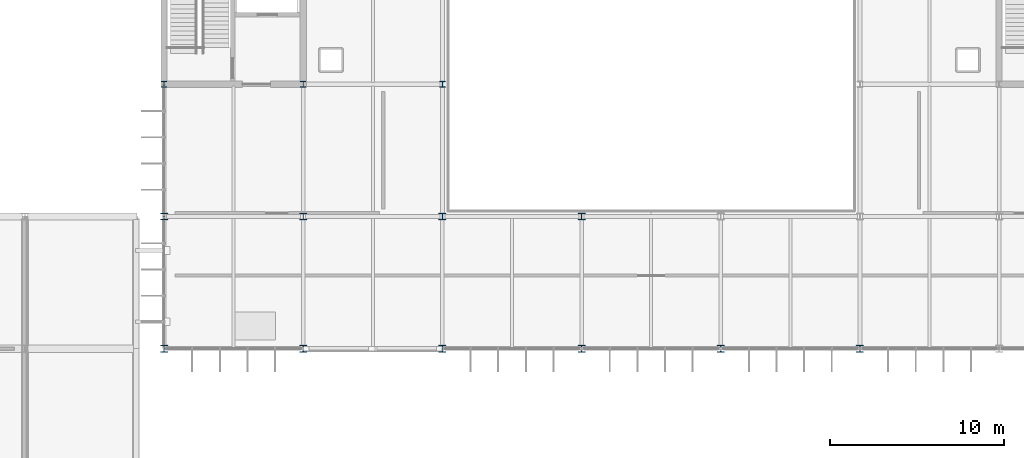
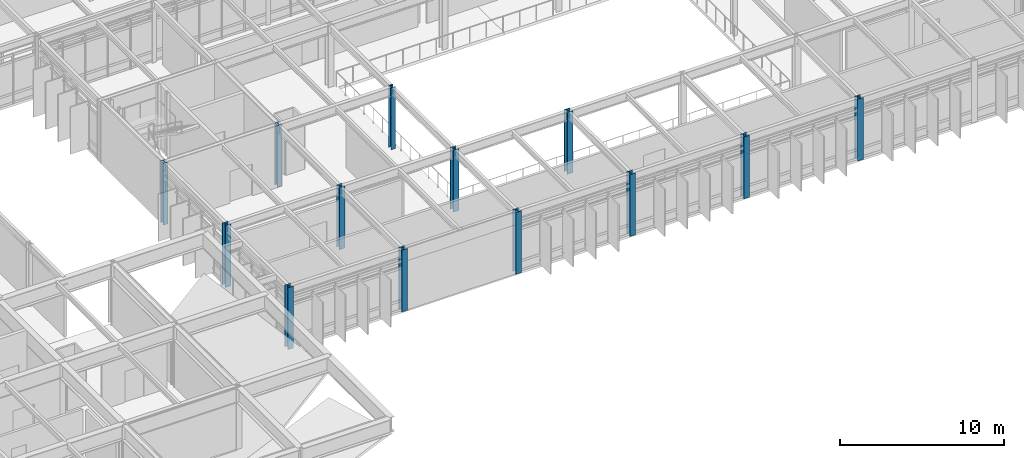
# One storey, part 8 of 104: 13 columns.
"""IFC4 building model written with IfcOpenShell, lengths in metres."""

from ifc_helpers import new_model, si_unit, direction, frame, origin, origin_2d, place, context, subcontext, project, spatial, i_section, extrude, material, material_profile, profile_set, type_object, element, save


model = new_model("IFC4")

# Units and contexts
model_context = context("Model", 3, precision=1e-05, world=origin(), true_north=direction((0.0, 1.0)))
body_context = subcontext(model_context, "Body", "Model", "MODEL_VIEW")
ifc_project = project(units=[si_unit("LENGTHUNIT", "METRE"), si_unit("AREAUNIT", "SQUARE_METRE"), si_unit("VOLUMEUNIT", "CUBIC_METRE"), si_unit("PLANEANGLEUNIT", "RADIAN"), si_unit("MASSUNIT", "GRAM", prefix="KILO")], contexts=[model_context])

# Site, building, storey
site_placement = place(None, origin())
site = spatial("IfcSite", under=ifc_project, at=site_placement, CompositionType="ELEMENT")
building_placement = place(site_placement, origin())
building = spatial("IfcBuilding", under=site, at=building_placement, Name="Zulena Civic Courthouse", CompositionType="ELEMENT")
storey_placement = place(building_placement, frame((0.0, 0.0, 10.800048828125)))
storey = spatial("IfcBuildingStorey", under=building, at=storey_placement, Name="L02", CompositionType="ELEMENT", Elevation=10.800048828125)

# Columns
ifc_material = material(Name="Steel ASTM A992 Grade 50", Category="steel")
ifc_material_profile_1 = material_profile(ifc_material, i_section(OverallWidth=0.31298828125, OverallDepth=0.3330078125, WebThickness=0.01806640625, FlangeThickness=0.0283203125, FilletRadius=0.01513671875, at=origin_2d()), Name="W12X120")
ifc_profile_set_1 = profile_set([ifc_material_profile_1], Name="Steel ASTM A992 Grade 50")
column_type_1 = type_object("IfcColumnType", Name="Col_W12X120", PredefinedType="COLUMN", material=ifc_profile_set_1)
for number, where, z_axis, x_axis, name in (
    (1, (68.0, 30.39990234375, 0.0), (0.0, 0.0, 1.0), (1.0, 0.0, 0.0), "col:V4:L02:68.0:30.4"),
    (2, (76.0, 30.39990234375, 0.0), (0.0, 0.0, 1.0), (1.0, 0.0, 0.0), "col:V4:L02:76.0:30.4"),
    (3, (84.0, 30.39990234375, 0.0), (0.0, 0.0, 1.0), (1.0, 0.0, 0.0), "col:V4:L02:84.0:30.4"),
):
    element("IfcColumn", number, at=place(storey_placement, frame(where, z_axis=z_axis, x_axis=x_axis)), inside=storey, type_object=column_type_1, Name=name, PredefinedType="COLUMN", context=body_context, shape_type="SweptSolid", body=[
        extrude(i_section(OverallWidth=0.31298828125, OverallDepth=0.3330078125, WebThickness=0.01806640625, FlangeThickness=0.0283203125, FilletRadius=0.01513671875, at=origin_2d()), origin(), (0.0, 0.0, 1.0), 4.58984375),
    ])
ifc_material_profile_2 = material_profile(ifc_material, i_section(OverallWidth=0.39404296875, OverallDepth=0.3759765625, WebThickness=0.017333984375, FlangeThickness=0.027587890625, FilletRadius=0.01513671875, at=origin_2d()), Name="W14X145")
ifc_profile_set_2 = profile_set([ifc_material_profile_2], Name="Steel ASTM A992 Grade 50")
column_type_2 = type_object("IfcColumnType", Name="Col_W14X145", PredefinedType="COLUMN", material=ifc_profile_set_2)
for number, where, z_axis, x_axis, name in (
    (4, (76.0, 22.800048828125, 0.0), (0.0, 0.0, 1.0), (1.0, 0.0, 0.0), "col:V4:L02:76.0:22.8"),
    (5, (84.0, 22.800048828125, 0.0), (0.0, 0.0, 1.0), (1.0, 0.0, 0.0), "col:V4:L02:84.0:22.8"),
    (6, (92.0, 22.800048828125, 0.0), (0.0, 0.0, 1.0), (1.0, 0.0, 0.0), "col:V4:L02:92.0:22.8"),
):
    element("IfcColumn", number, at=place(storey_placement, frame(where, z_axis=z_axis, x_axis=x_axis)), inside=storey, type_object=column_type_2, Name=name, PredefinedType="COLUMN", context=body_context, shape_type="SweptSolid", body=[
        extrude(i_section(OverallWidth=0.39404296875, OverallDepth=0.3759765625, WebThickness=0.017333984375, FlangeThickness=0.027587890625, FilletRadius=0.01513671875, at=origin_2d()), origin(), (0.0, 0.0, 1.0), 4.58984375),
    ])
ifc_material_profile_3 = material_profile(ifc_material, i_section(OverallWidth=0.39892578125, OverallDepth=0.386962890625, WebThickness=0.02099609375, FlangeThickness=0.033203125, FilletRadius=0.01513671875, at=origin_2d()), Name="W14X176")
ifc_profile_set_3 = profile_set([ifc_material_profile_3], Name="Steel ASTM A992 Grade 50")
column_type_3 = type_object("IfcColumnType", Name="Col_W14X176", PredefinedType="COLUMN", material=ifc_profile_set_3)
for number, where, z_axis, x_axis, name in (
    (7, (68.0, 15.199951171875, 0.0), (0.0, 0.0, 1.0), (1.0, 0.0, 0.0), "col:V4:L02:68.0:15.2"),
    (8, (68.0, 22.800048828125, 0.0), (0.0, 0.0, 1.0), (1.0, 0.0, 0.0), "col:V4:L02:68.0:22.8"),
    (9, (76.0, 15.199951171875, 0.0), (0.0, 0.0, 1.0), (1.0, 0.0, 0.0), "col:V4:L02:76.0:15.2"),
):
    element("IfcColumn", number, at=place(storey_placement, frame(where, z_axis=z_axis, x_axis=x_axis)), inside=storey, type_object=column_type_3, Name=name, PredefinedType="COLUMN", context=body_context, shape_type="SweptSolid", body=[
        extrude(i_section(OverallWidth=0.39892578125, OverallDepth=0.386962890625, WebThickness=0.02099609375, FlangeThickness=0.033203125, FilletRadius=0.01513671875, at=origin_2d()), origin(), (0.0, 0.0, 1.0), 4.58984375),
    ])
ifc_material_profile_4 = material_profile(ifc_material, i_section(OverallWidth=0.40087890625, OverallDepth=0.39892578125, WebThickness=0.02490234375, FlangeThickness=0.03955078125, FilletRadius=0.01513671875, at=origin_2d()), Name="W14X211")
ifc_profile_set_4 = profile_set([ifc_material_profile_4], Name="Steel ASTM A992 Grade 50")
column_type_4 = type_object("IfcColumnType", Name="Col_W14X211", PredefinedType="COLUMN", material=ifc_profile_set_4)
for number, where, z_axis, x_axis, name in (
    (10, (84.0, 15.199951171875, 0.0), (0.0, 0.0, 1.0), (1.0, 0.0, 0.0), "col:V4:L02:84.0:15.2"),
    (11, (92.0, 15.199951171875, 0.0), (0.0, 0.0, 1.0), (1.0, 0.0, 0.0), "col:V4:L02:92.0:15.2"),
    (12, (100.0, 15.199951171875, 0.0), (0.0, 0.0, 1.0), (1.0, 0.0, 0.0), "col:V4:L02:100.0:15.2"),
    (13, (108.0, 15.199951171875, 0.0), (0.0, 0.0, 1.0), (1.0, 0.0, 0.0), "col:V4:L02:108.0:15.2"),
):
    element("IfcColumn", number, at=place(storey_placement, frame(where, z_axis=z_axis, x_axis=x_axis)), inside=storey, type_object=column_type_4, Name=name, PredefinedType="COLUMN", context=body_context, shape_type="SweptSolid", body=[
        extrude(i_section(OverallWidth=0.40087890625, OverallDepth=0.39892578125, WebThickness=0.02490234375, FlangeThickness=0.03955078125, FilletRadius=0.01513671875, at=origin_2d()), origin(), (0.0, 0.0, 1.0), 4.58984375),
    ])

save(model, "model.ifc")
